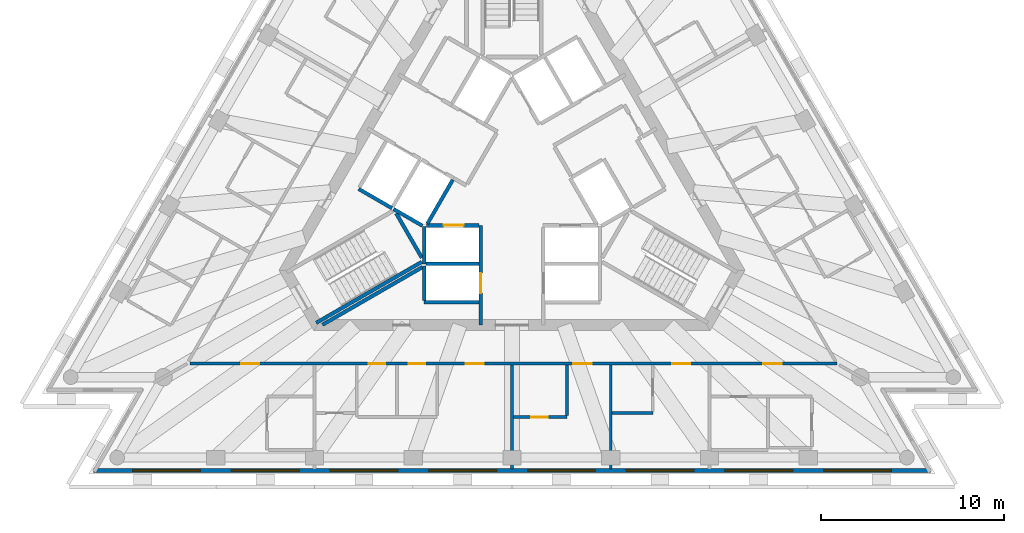
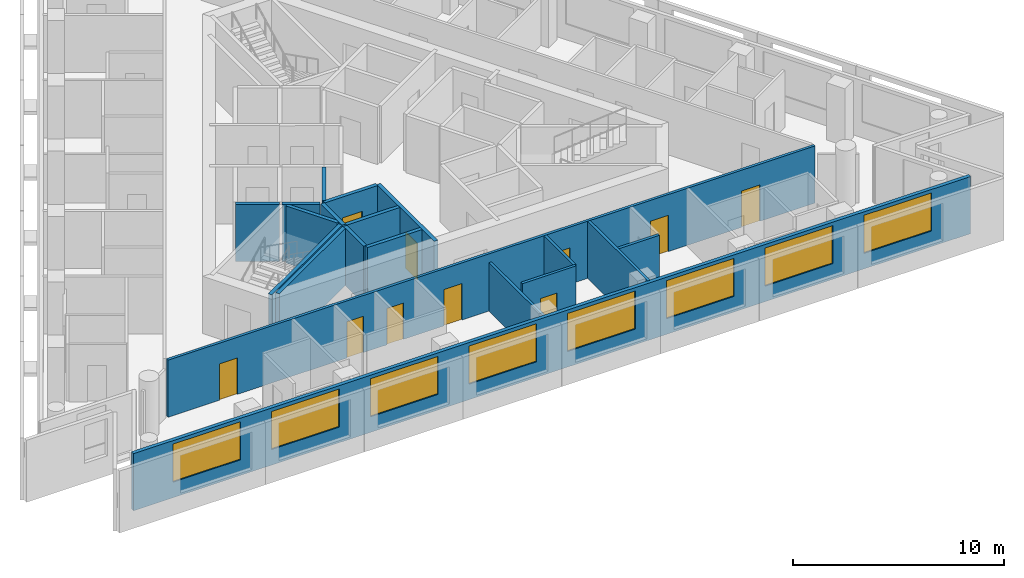
# One storey, part 3 of 10: 19 walls, 10 doors, 8 windows, 18 openings.
"""IFC4 building model written with IfcOpenShell, lengths in metres."""

from ifc_helpers import new_model, si_unit, direction, frame, frame_2d, origin, place, context, subcontext, project, spatial, rectangle, extrude, material, layer, layer_set, layer_usage, type_object, element, fill, save


model = new_model("IFC4")

# Units and contexts
model_context = context("Model", 3, precision=1e-05, world=origin(), true_north=direction((0.0, 1.0)))
body_context = subcontext(model_context, "Body", "Model", "MODEL_VIEW")
ifc_project = project(units=[si_unit("LENGTHUNIT", "METRE"), si_unit("AREAUNIT", "SQUARE_METRE"), si_unit("VOLUMEUNIT", "CUBIC_METRE"), si_unit("PLANEANGLEUNIT", "RADIAN"), si_unit("MASSUNIT", "GRAM", prefix="KILO")], contexts=[model_context])

# Site, building, storey
site_placement = place(None, origin())
site = spatial("IfcSite", under=ifc_project, at=site_placement, CompositionType="ELEMENT")
building_placement = place(site_placement, origin())
building = spatial("IfcBuilding", under=site, at=building_placement, Name="Triada Interchange Tower", CompositionType="ELEMENT")
storey_placement = place(building_placement, frame((0.0, 0.0, 289.89990234375)))
storey = spatial("IfcBuildingStorey", under=building, at=storey_placement, Name="L68", CompositionType="ELEMENT", Elevation=289.89990234375)

# Walls
ifc_material_1 = material(Name="Concrete C30/37", Category="concrete")
ifc_layer_1 = layer(ifc_material_1, 0.199951171875)
ifc_layer_set_1 = layer_set([ifc_layer_1], Name="CORE WALL 200 EI 120")
wall_type_1 = type_object("IfcWallType", Name="CORE WALL 200 EI 120", PredefinedType="SOLIDWALL", material=ifc_layer_set_1)
wall_1_placement = place(storey_placement, frame((-8.3759765625, -0.70703125, 0.0), z_axis=(0.0, 0.0, 1.0), x_axis=(0.866067520717, -0.499927044236, 0.0)))
element("IfcWall", 1, at=wall_1_placement, inside=storey, type_object=wall_type_1, Name="Wall L68 66", PredefinedType="SOLIDWALL", context=body_context, shape_type="SweptSolid", body=[
    extrude(rectangle(XDim=2.100341796875, YDim=0.199951171875, at=frame_2d((1.05029296875, 0.0))), origin(), (0.0, 0.0, 1.0), 3.300048828125),
])
wall_2_placement = place(storey_placement, frame((-4.800048828125, -6.89990234375, 0.0), z_axis=(0.0, 0.0, 1.0), x_axis=(1.0, 0.0, 0.0)))
element("IfcWall", 2, at=wall_2_placement, inside=storey, type_object=wall_type_1, Name="Wall L68 68", PredefinedType="SOLIDWALL", context=body_context, shape_type="SweptSolid", body=[
    extrude(rectangle(XDim=3.0, YDim=0.199951171875, at=frame_2d((1.5, 0.0))), origin(), (0.0, 0.0, 1.0), 3.300048828125),
])
wall_3_placement = place(storey_placement, frame((-4.800048828125, -6.800048828125, 0.0), z_axis=(0.0, 0.0, 1.0), x_axis=(0.0, 1.0, 0.0)))
element("IfcWall", 3, at=wall_3_placement, inside=storey, type_object=wall_type_1, Name="Wall L68 70", PredefinedType="SOLIDWALL", context=body_context, shape_type="SweptSolid", body=[
    extrude(rectangle(XDim=1.880126953125, YDim=0.199951171875, at=frame_2d((0.93994140625, 0.0))), origin(), (0.0, 0.0, 1.0), 3.300048828125),
])
wall_4_placement = place(storey_placement, frame((-4.800048828125, -4.800048828125, 0.0), z_axis=(0.0, 0.0, 1.0), x_axis=(0.0, 1.0, 0.0)))
element("IfcWall", 4, at=wall_4_placement, inside=storey, type_object=wall_type_1, Name="Wall L68 71", PredefinedType="SOLIDWALL", context=body_context, shape_type="SweptSolid", body=[
    extrude(rectangle(XDim=2.031005859375, YDim=0.199951171875, at=frame_2d((1.015625, 0.0))), origin(), (0.0, 0.0, 1.0), 3.300048828125),
])
wall_5_placement = place(storey_placement, frame((-4.699951171875, -4.800048828125, 0.0), z_axis=(0.0, 0.0, 1.0), x_axis=(1.0, 0.0, 0.0)))
element("IfcWall", 5, at=wall_5_placement, inside=storey, type_object=wall_type_1, Name="Wall L68 72", PredefinedType="SOLIDWALL", context=body_context, shape_type="SweptSolid", body=[
    extrude(rectangle(XDim=2.89990234375, YDim=0.199951171875, at=frame_2d((1.449951171875, 0.0))), origin(), (0.0, 0.0, 1.0), 3.300048828125),
])

# Wall, opening, door
wall_6_placement = place(storey_placement, frame((-1.699951171875, -8.1298828125, 0.0), z_axis=(0.0, 0.0, 1.0), x_axis=(0.0, 1.0, 0.0)))
wall_6 = element("IfcWall", 6, at=wall_6_placement, inside=storey, type_object=wall_type_1, Name="Wall L68 74", PredefinedType="SOLIDWALL", context=body_context, shape_type="SweptSolid", body=[
    extrude(rectangle(XDim=5.427001953125, YDim=0.199951171875, at=frame_2d((2.71337890625, 0.0))), origin(), (0.0, 0.0, 1.0), 3.300048828125),
])
opening_1_placement = place(wall_6_placement, frame((1.72998046875, 0.0, 0.0)))
opening_1 = element("IfcOpeningElement", 7, at=opening_1_placement, cuts=wall_6, Name="Opening LD-HR4", PredefinedType="OPENING", context=body_context, shape_type="SweptSolid", body=[
    extrude(rectangle(XDim=1.10009765625, YDim=2.10009765625, at=frame_2d((0.550048828125, 1.050048828125))), frame((0.0, 0.10986328125, 0.0), z_axis=(0.0, -1.0, 0.0), x_axis=(1.0, 0.0, 0.0)), (0.0, 0.0, 1.0), 0.219970703125),
])
ifc_material_2 = material(Name="Steel S235 door leaf", Category="steel")
door_type_1 = type_object("IfcDoorType", Name="LIFT LANDING DOOR 1100 EI 120", OperationType="SLIDING_TO_LEFT", PredefinedType="DOOR", material=ifc_material_2)
door_1_placement = place(opening_1_placement, origin())
door_1 = element("IfcDoor", 8, at=door_1_placement, inside=storey, type_object=door_type_1, Name="HR4 landing door L68", OperationType="SLIDING_TO_LEFT", OverallHeight=2.10009765625, OverallWidth=1.10009765625, PredefinedType="DOOR", context=body_context, shape_type="SweptSolid", body=[
    extrude(rectangle(XDim=1.10009765625, YDim=2.10009765625, at=frame_2d((0.550048828125, 1.050048828125))), frame((0.0, 0.02490234375, 0.0), z_axis=(0.0, -1.0, 0.0), x_axis=(1.0, 0.0, 0.0)), (0.0, 0.0, 1.0), 0.050048828125),
])
fill(opening_1, door_1)

wall_7_placement = place(storey_placement, frame((-4.676025390625, -2.699951171875, 0.0), z_axis=(0.0, 0.0, 1.0), x_axis=(1.0, 0.0, 0.0)))
wall_7 = element("IfcWall", 9, at=wall_7_placement, inside=storey, type_object=wall_type_1, Name="Wall L68 75", PredefinedType="SOLIDWALL", context=body_context, shape_type="SweptSolid", body=[
    extrude(rectangle(XDim=2.873046875, YDim=0.199951171875, at=frame_2d((1.4365234375, 0.0))), origin(), (0.0, 0.0, 1.0), 3.300048828125),
])
opening_2_placement = place(wall_7_placement, frame((0.93701171875, 0.0, 0.0)))
opening_2 = element("IfcOpeningElement", 10, at=opening_2_placement, cuts=wall_7, Name="Opening LD-HR3", PredefinedType="OPENING", context=body_context, shape_type="SweptSolid", body=[
    extrude(rectangle(XDim=1.10009765625, YDim=2.10009765625, at=frame_2d((0.550048828125, 1.050048828125))), frame((0.0, 0.10986328125, 0.0), z_axis=(0.0, -1.0, 0.0), x_axis=(1.0, 0.0, 0.0)), (0.0, 0.0, 1.0), 0.219970703125),
])
door_2_placement = place(opening_2_placement, origin())
door_2 = element("IfcDoor", 11, at=door_2_placement, inside=storey, type_object=door_type_1, Name="HR3 landing door L68", OperationType="SLIDING_TO_LEFT", OverallHeight=2.10009765625, OverallWidth=1.10009765625, PredefinedType="DOOR", context=body_context, shape_type="SweptSolid", body=[
    extrude(rectangle(XDim=1.10009765625, YDim=2.10009765625, at=frame_2d((0.550048828125, 1.050048828125))), frame((0.0, 0.02490234375, 0.0), z_axis=(0.0, -1.0, 0.0), x_axis=(1.0, 0.0, 0.0)), (0.0, 0.0, 1.0), 0.050048828125),
])
fill(opening_2, door_2)

# Walls
ifc_layer_2 = layer(ifc_material_1, 0.199951171875)
ifc_layer_set_2 = layer_set([ifc_layer_2], Name="CORE WALL 200 EI 180")
wall_type_2 = type_object("IfcWallType", Name="CORE WALL 200 EI 180", PredefinedType="SOLIDWALL", material=ifc_layer_set_2)
wall_8_placement = place(storey_placement, frame((-6.469970703125, -1.806884765625, 0.0), z_axis=(0.0, 0.0, 1.0), x_axis=(0.865883195159, -0.500246231712, 0.0)))
element("IfcWall", 12, at=wall_8_placement, inside=storey, type_object=wall_type_2, Name="Shaft wall FF1 L68 100", PredefinedType="SOLIDWALL", context=body_context, shape_type="SweptSolid", body=[
    extrude(rectangle(XDim=1.8154296875, YDim=0.199951171875, at=frame_2d((0.90771484375, 0.0))), origin(), (0.0, 0.0, 1.0), 3.300048828125),
])
wall_9_placement = place(storey_placement, frame((-4.618896484375, -2.60009765625, 0.0), z_axis=(0.0, 0.0, 1.0), x_axis=(0.50009492287, 0.865970593103, 0.0)))
element("IfcWall", 13, at=wall_9_placement, inside=storey, type_object=wall_type_2, Name="Shaft wall FF1 L68 102", PredefinedType="SOLIDWALL", context=body_context, shape_type="SweptSolid", body=[
    extrude(rectangle(XDim=2.76123046875, YDim=0.199951171875, at=frame_2d((1.380615234375, 0.0))), origin(), (0.0, 0.0, 1.0), 3.300048828125),
])
ifc_layer_3 = layer(ifc_material_1, 0.199951171875)
ifc_layer_set_3 = layer_set([ifc_layer_3], Name="CORE WALL 200 EI 90")
wall_type_3 = type_object("IfcWallType", Name="CORE WALL 200 EI 90", PredefinedType="SOLIDWALL", material=ifc_layer_set_3)
wall_10_placement = place(storey_placement, frame((-10.35693359375, -8.1298828125, 0.0), z_axis=(0.0, 0.0, 1.0), x_axis=(0.866074613031, 0.499914757397, 0.0)))
element("IfcWall", 14, at=wall_10_placement, inside=storey, type_object=wall_type_3, Name="Wall L68 107", PredefinedType="SOLIDWALL", context=body_context, shape_type="SweptSolid", body=[
    extrude(rectangle(XDim=6.30078125, YDim=0.199951171875, at=frame_2d((3.150390625, 0.0))), origin(), (0.0, 0.0, 1.0), 3.300048828125),
])
ifc_layer_4 = layer(ifc_material_1, 0.199951171875)
ifc_layer_set_4 = layer_set([ifc_layer_4], Name="CORE WALL 200 REI 240")
wall_type_4 = type_object("IfcWallType", Name="CORE WALL 200 REI 240", PredefinedType="SOLIDWALL", material=ifc_layer_set_4)
wall_11_placement = place(storey_placement, frame((-6.3291015625, -2.0380859375, 0.0), z_axis=(0.0, 0.0, 1.0), x_axis=(0.500200581029, -0.865909567298, 0.0)))
element("IfcWall", 15, at=wall_11_placement, inside=storey, type_object=wall_type_4, Name="Wall L68 113", PredefinedType="SOLIDWALL", context=body_context, shape_type="SweptSolid", body=[
    extrude(rectangle(XDim=2.799072265625, YDim=0.199951171875, at=frame_2d((1.3994140625, 0.0))), origin(), (0.0, 0.0, 1.0), 3.300048828125),
])
wall_12_placement = place(storey_placement, frame((-10.700927734375, -8.02587890625, 0.0), z_axis=(0.0, 0.0, 1.0), x_axis=(0.866005022404, 0.500035299925, 0.0)))
element("IfcWall", 16, at=wall_12_placement, inside=storey, type_object=wall_type_4, Name="Wall L68 114", PredefinedType="SOLIDWALL", context=body_context, shape_type="SweptSolid", body=[
    extrude(rectangle(XDim=6.6650390625, YDim=0.199951171875, at=frame_2d((3.33251953125, 0.0))), origin(), (0.0, 0.0, 1.0), 3.300048828125),
])

# Wall, openings, windows
ifc_material_3 = material(Name="Cement board")
ifc_layer_5 = layer(ifc_material_3, 0.02001953125, Name="Cement board cladding")
ifc_material_4 = material(Name="Sheathing board")
ifc_layer_6 = layer(ifc_material_4, 0.014892578125, Name="Sheathing board")
ifc_material_5 = material(Name="Mineral wool")
ifc_layer_7 = layer(ifc_material_5, 0.14990234375, Name="Mineral wool between steel studs")
ifc_material_6 = material(Name="Gypsum board")
ifc_layer_8 = layer(ifc_material_6, 0.014892578125, Name="Plasterboard lining")
ifc_layer_set_5 = layer_set([ifc_layer_5, ifc_layer_6, ifc_layer_7, ifc_layer_8], Name="External wall 200")
ifc_layer_usage = layer_usage(ifc_layer_set_5, "AXIS2", "POSITIVE", -0.10009765625)
wall_type_5 = type_object("IfcWallType", Name="External wall 200", PredefinedType="ELEMENTEDWALL", material=ifc_layer_set_5)
wall_13_placement = place(storey_placement, frame((-22.8798828125, -16.090087890625, 0.0), z_axis=(0.0, 0.0, 1.0), x_axis=(1.0, 0.0, 0.0)))
wall_13 = element("IfcWall", 17, at=wall_13_placement, inside=storey, type_object=wall_type_5, material=ifc_layer_usage, Name="External wall L68 S", PredefinedType="ELEMENTEDWALL", context=body_context, shape_type="SweptSolid", body=[
    extrude(rectangle(XDim=45.739990234375, YDim=0.199951171875, at=frame_2d((22.8701171875, 0.0))), origin(), (0.0, 0.0, 1.0), 3.300048828125),
])
opening_3_placement = place(wall_13_placement, frame((2.14990234375, 0.0, 0.89990234375)))
opening_3 = element("IfcOpeningElement", 18, at=opening_3_placement, cuts=wall_13, Name="Opening WD11", PredefinedType="OPENING", context=body_context, shape_type="SweptSolid", body=[
    extrude(rectangle(XDim=3.699951171875, YDim=2.199951171875, at=frame_2d((1.85009765625, 1.10009765625))), frame((0.0, 0.10986328125, 0.0), z_axis=(0.0, -1.0, 0.0), x_axis=(1.0, 0.0, 0.0)), (0.0, 0.0, 1.0), 0.219970703125),
])
opening_4_placement = place(wall_13_placement, frame((7.5439453125, 0.0, 0.89990234375)))
opening_4 = element("IfcOpeningElement", 19, at=opening_4_placement, cuts=wall_13, Name="Opening WD12", PredefinedType="OPENING", context=body_context, shape_type="SweptSolid", body=[
    extrude(rectangle(XDim=3.699951171875, YDim=2.199951171875, at=frame_2d((1.85009765625, 1.10009765625))), frame((0.0, 0.10986328125, 0.0), z_axis=(0.0, -1.0, 0.0), x_axis=(1.0, 0.0, 0.0)), (0.0, 0.0, 1.0), 0.219970703125),
])
opening_5_placement = place(wall_13_placement, frame((12.93896484375, 0.0, 0.89990234375)))
opening_5 = element("IfcOpeningElement", 20, at=opening_5_placement, cuts=wall_13, Name="Opening WD13", PredefinedType="OPENING", context=body_context, shape_type="SweptSolid", body=[
    extrude(rectangle(XDim=3.699951171875, YDim=2.199951171875, at=frame_2d((1.85009765625, 1.10009765625))), frame((0.0, 0.10986328125, 0.0), z_axis=(0.0, -1.0, 0.0), x_axis=(1.0, 0.0, 0.0)), (0.0, 0.0, 1.0), 0.219970703125),
])
opening_6_placement = place(wall_13_placement, frame((18.3330078125, 0.0, 0.89990234375)))
opening_6 = element("IfcOpeningElement", 21, at=opening_6_placement, cuts=wall_13, Name="Opening WD14", PredefinedType="OPENING", context=body_context, shape_type="SweptSolid", body=[
    extrude(rectangle(XDim=3.699951171875, YDim=2.199951171875, at=frame_2d((1.85009765625, 1.10009765625))), frame((0.0, 0.10986328125, 0.0), z_axis=(0.0, -1.0, 0.0), x_axis=(1.0, 0.0, 0.0)), (0.0, 0.0, 1.0), 0.219970703125),
])
opening_7_placement = place(wall_13_placement, frame((23.72705078125, 0.0, 0.89990234375)))
opening_7 = element("IfcOpeningElement", 22, at=opening_7_placement, cuts=wall_13, Name="Opening WD15", PredefinedType="OPENING", context=body_context, shape_type="SweptSolid", body=[
    extrude(rectangle(XDim=3.699951171875, YDim=2.199951171875, at=frame_2d((1.85009765625, 1.10009765625))), frame((0.0, 0.10986328125, 0.0), z_axis=(0.0, -1.0, 0.0), x_axis=(1.0, 0.0, 0.0)), (0.0, 0.0, 1.0), 0.219970703125),
])
opening_8_placement = place(wall_13_placement, frame((29.12109375, 0.0, 0.89990234375)))
opening_8 = element("IfcOpeningElement", 23, at=opening_8_placement, cuts=wall_13, Name="Opening WD16", PredefinedType="OPENING", context=body_context, shape_type="SweptSolid", body=[
    extrude(rectangle(XDim=3.699951171875, YDim=2.199951171875, at=frame_2d((1.85009765625, 1.10009765625))), frame((0.0, 0.10986328125, 0.0), z_axis=(0.0, -1.0, 0.0), x_axis=(1.0, 0.0, 0.0)), (0.0, 0.0, 1.0), 0.219970703125),
])
opening_9_placement = place(wall_13_placement, frame((34.51611328125, 0.0, 0.89990234375)))
opening_9 = element("IfcOpeningElement", 24, at=opening_9_placement, cuts=wall_13, Name="Opening WD17", PredefinedType="OPENING", context=body_context, shape_type="SweptSolid", body=[
    extrude(rectangle(XDim=3.699951171875, YDim=2.199951171875, at=frame_2d((1.85009765625, 1.10009765625))), frame((0.0, 0.10986328125, 0.0), z_axis=(0.0, -1.0, 0.0), x_axis=(1.0, 0.0, 0.0)), (0.0, 0.0, 1.0), 0.219970703125),
])
opening_10_placement = place(wall_13_placement, frame((39.909912109375, 0.0, 0.89990234375)))
opening_10 = element("IfcOpeningElement", 25, at=opening_10_placement, cuts=wall_13, Name="Opening WD18", PredefinedType="OPENING", context=body_context, shape_type="SweptSolid", body=[
    extrude(rectangle(XDim=3.699951171875, YDim=2.199951171875, at=frame_2d((1.85009765625, 1.10009765625))), frame((0.0, 0.10986328125, 0.0), z_axis=(0.0, -1.0, 0.0), x_axis=(1.0, 0.0, 0.0)), (0.0, 0.0, 1.0), 0.219970703125),
])
ifc_material_7 = material(Name="Double glazed aluminium window", Category="aluminium")
window_type = type_object("IfcWindowType", Name="Ribbon window D face", PartitioningType="SINGLE_PANEL", PredefinedType="WINDOW", material=ifc_material_7)
window_1_placement = place(opening_3_placement, origin())
window_1 = element("IfcWindow", 26, at=window_1_placement, inside=storey, type_object=window_type, Name="Window L68 S 1", OverallHeight=2.199951171875, OverallWidth=3.699951171875, PartitioningType="SINGLE_PANEL", PredefinedType="WINDOW", context=body_context, shape_type="SweptSolid", body=[
    extrude(rectangle(XDim=3.699951171875, YDim=2.199951171875, at=frame_2d((1.85009765625, 1.10009765625))), frame((0.0, 0.030029296875, 0.0), z_axis=(0.0, -1.0, 0.0), x_axis=(1.0, 0.0, 0.0)), (0.0, 0.0, 1.0), 0.06005859375),
])
fill(opening_3, window_1)
window_2_placement = place(opening_4_placement, origin())
window_2 = element("IfcWindow", 27, at=window_2_placement, inside=storey, type_object=window_type, Name="Window L68 S 2", OverallHeight=2.199951171875, OverallWidth=3.699951171875, PartitioningType="SINGLE_PANEL", PredefinedType="WINDOW", context=body_context, shape_type="SweptSolid", body=[
    extrude(rectangle(XDim=3.699951171875, YDim=2.199951171875, at=frame_2d((1.85009765625, 1.10009765625))), frame((0.0, 0.030029296875, 0.0), z_axis=(0.0, -1.0, 0.0), x_axis=(1.0, 0.0, 0.0)), (0.0, 0.0, 1.0), 0.06005859375),
])
fill(opening_4, window_2)
window_3_placement = place(opening_5_placement, origin())
window_3 = element("IfcWindow", 28, at=window_3_placement, inside=storey, type_object=window_type, Name="Window L68 S 3", OverallHeight=2.199951171875, OverallWidth=3.699951171875, PartitioningType="SINGLE_PANEL", PredefinedType="WINDOW", context=body_context, shape_type="SweptSolid", body=[
    extrude(rectangle(XDim=3.699951171875, YDim=2.199951171875, at=frame_2d((1.85009765625, 1.10009765625))), frame((0.0, 0.030029296875, 0.0), z_axis=(0.0, -1.0, 0.0), x_axis=(1.0, 0.0, 0.0)), (0.0, 0.0, 1.0), 0.06005859375),
])
fill(opening_5, window_3)
window_4_placement = place(opening_6_placement, origin())
window_4 = element("IfcWindow", 29, at=window_4_placement, inside=storey, type_object=window_type, Name="Window L68 S 4", OverallHeight=2.199951171875, OverallWidth=3.699951171875, PartitioningType="SINGLE_PANEL", PredefinedType="WINDOW", context=body_context, shape_type="SweptSolid", body=[
    extrude(rectangle(XDim=3.699951171875, YDim=2.199951171875, at=frame_2d((1.85009765625, 1.10009765625))), frame((0.0, 0.030029296875, 0.0), z_axis=(0.0, -1.0, 0.0), x_axis=(1.0, 0.0, 0.0)), (0.0, 0.0, 1.0), 0.06005859375),
])
fill(opening_6, window_4)
window_5_placement = place(opening_7_placement, origin())
window_5 = element("IfcWindow", 30, at=window_5_placement, inside=storey, type_object=window_type, Name="Window L68 S 5", OverallHeight=2.199951171875, OverallWidth=3.699951171875, PartitioningType="SINGLE_PANEL", PredefinedType="WINDOW", context=body_context, shape_type="SweptSolid", body=[
    extrude(rectangle(XDim=3.699951171875, YDim=2.199951171875, at=frame_2d((1.85009765625, 1.10009765625))), frame((0.0, 0.030029296875, 0.0), z_axis=(0.0, -1.0, 0.0), x_axis=(1.0, 0.0, 0.0)), (0.0, 0.0, 1.0), 0.06005859375),
])
fill(opening_7, window_5)
window_6_placement = place(opening_8_placement, origin())
window_6 = element("IfcWindow", 31, at=window_6_placement, inside=storey, type_object=window_type, Name="Window L68 S 6", OverallHeight=2.199951171875, OverallWidth=3.699951171875, PartitioningType="SINGLE_PANEL", PredefinedType="WINDOW", context=body_context, shape_type="SweptSolid", body=[
    extrude(rectangle(XDim=3.699951171875, YDim=2.199951171875, at=frame_2d((1.85009765625, 1.10009765625))), frame((0.0, 0.030029296875, 0.0), z_axis=(0.0, -1.0, 0.0), x_axis=(1.0, 0.0, 0.0)), (0.0, 0.0, 1.0), 0.06005859375),
])
fill(opening_8, window_6)
window_7_placement = place(opening_9_placement, origin())
window_7 = element("IfcWindow", 32, at=window_7_placement, inside=storey, type_object=window_type, Name="Window L68 S 7", OverallHeight=2.199951171875, OverallWidth=3.699951171875, PartitioningType="SINGLE_PANEL", PredefinedType="WINDOW", context=body_context, shape_type="SweptSolid", body=[
    extrude(rectangle(XDim=3.699951171875, YDim=2.199951171875, at=frame_2d((1.85009765625, 1.10009765625))), frame((0.0, 0.030029296875, 0.0), z_axis=(0.0, -1.0, 0.0), x_axis=(1.0, 0.0, 0.0)), (0.0, 0.0, 1.0), 0.06005859375),
])
fill(opening_9, window_7)
window_8_placement = place(opening_10_placement, origin())
window_8 = element("IfcWindow", 33, at=window_8_placement, inside=storey, type_object=window_type, Name="Window L68 S 8", OverallHeight=2.199951171875, OverallWidth=3.699951171875, PartitioningType="SINGLE_PANEL", PredefinedType="WINDOW", context=body_context, shape_type="SweptSolid", body=[
    extrude(rectangle(XDim=3.699951171875, YDim=2.199951171875, at=frame_2d((1.85009765625, 1.10009765625))), frame((0.0, 0.030029296875, 0.0), z_axis=(0.0, -1.0, 0.0), x_axis=(1.0, 0.0, 0.0)), (0.0, 0.0, 1.0), 0.06005859375),
])
fill(opening_10, window_8)

# Wall, openings, doors
ifc_material_8 = material(Name="Gypsum board partition")
ifc_layer_9 = layer(ifc_material_8, 0.14990234375)
ifc_layer_set_6 = layer_set([ifc_layer_9], Name="PARTITION 150 EI 180")
wall_type_6 = type_object("IfcWallType", Name="PARTITION 150 EI 180", PredefinedType="PARTITIONING", material=ifc_layer_set_6)
wall_14_placement = place(storey_placement, frame((-17.60302734375, -10.25, 0.0), z_axis=(0.0, 0.0, 1.0), x_axis=(1.0, 0.0, 0.0)))
wall_14 = element("IfcWall", 34, at=wall_14_placement, inside=storey, type_object=wall_type_6, Name="Wall L68 4", PredefinedType="PARTITIONING", context=body_context, shape_type="SweptSolid", body=[
    extrude(rectangle(XDim=35.35595703125, YDim=0.14990234375, at=frame_2d((17.677978515625, 0.0))), origin(), (0.0, 0.0, 1.0), 3.300048828125),
])
opening_11_placement = place(wall_14_placement, frame((2.800048828125, 0.0, 0.0)))
opening_11 = element("IfcOpeningElement", 35, at=opening_11_placement, cuts=wall_14, Name="Opening D68-11", PredefinedType="OPENING", context=body_context, shape_type="SweptSolid", body=[
    extrude(rectangle(XDim=1.0, YDim=2.10009765625, at=frame_2d((0.5, 1.050048828125))), frame((0.0, 0.0849609375, 0.0), z_axis=(0.0, -1.0, 0.0), x_axis=(1.0, 0.0, 0.0)), (0.0, 0.0, 1.0), 0.169921875),
])
opening_12_placement = place(wall_14_placement, frame((15.06494140625, 0.0, 0.0)))
opening_12 = element("IfcOpeningElement", 36, at=opening_12_placement, cuts=wall_14, Name="Opening D68-13", PredefinedType="OPENING", context=body_context, shape_type="SweptSolid", body=[
    extrude(rectangle(XDim=1.0, YDim=2.10009765625, at=frame_2d((0.5, 1.050048828125))), frame((0.0, 0.0849609375, 0.0), z_axis=(0.0, -1.0, 0.0), x_axis=(1.0, 0.0, 0.0)), (0.0, 0.0, 1.0), 0.169921875),
])
opening_13_placement = place(wall_14_placement, frame((9.764892578125, 0.0, 0.0)))
opening_13 = element("IfcOpeningElement", 37, at=opening_13_placement, cuts=wall_14, Name="Opening D68-15", PredefinedType="OPENING", context=body_context, shape_type="SweptSolid", body=[
    extrude(rectangle(XDim=0.89990234375, YDim=2.10009765625, at=frame_2d((0.449951171875, 1.050048828125))), frame((0.0, 0.0849609375, 0.0), z_axis=(0.0, -1.0, 0.0), x_axis=(1.0, 0.0, 0.0)), (0.0, 0.0, 1.0), 0.169921875),
])
opening_14_placement = place(wall_14_placement, frame((11.965087890625, 0.0, 0.0)))
opening_14 = element("IfcOpeningElement", 38, at=opening_14_placement, cuts=wall_14, Name="Opening D68-16", PredefinedType="OPENING", context=body_context, shape_type="SweptSolid", body=[
    extrude(rectangle(XDim=0.89990234375, YDim=2.10009765625, at=frame_2d((0.449951171875, 1.050048828125))), frame((0.0, 0.0849609375, 0.0), z_axis=(0.0, -1.0, 0.0), x_axis=(1.0, 0.0, 0.0)), (0.0, 0.0, 1.0), 0.169921875),
])
opening_15_placement = place(wall_14_placement, frame((20.952880859375, 0.0, 0.0)))
opening_15 = element("IfcOpeningElement", 39, at=opening_15_placement, cuts=wall_14, Name="Opening D68-17", PredefinedType="OPENING", context=body_context, shape_type="SweptSolid", body=[
    extrude(rectangle(XDim=1.0, YDim=2.10009765625, at=frame_2d((0.5, 1.050048828125))), frame((0.0, 0.0849609375, 0.0), z_axis=(0.0, -1.0, 0.0), x_axis=(1.0, 0.0, 0.0)), (0.0, 0.0, 1.0), 0.169921875),
])
opening_16_placement = place(wall_14_placement, frame((26.346923828125, 0.0, 0.0)))
opening_16 = element("IfcOpeningElement", 40, at=opening_16_placement, cuts=wall_14, Name="Opening D68-19", PredefinedType="OPENING", context=body_context, shape_type="SweptSolid", body=[
    extrude(rectangle(XDim=1.0, YDim=2.10009765625, at=frame_2d((0.5, 1.050048828125))), frame((0.0, 0.0849609375, 0.0), z_axis=(0.0, -1.0, 0.0), x_axis=(1.0, 0.0, 0.0)), (0.0, 0.0, 1.0), 0.169921875),
])
opening_17_placement = place(wall_14_placement, frame((31.342041015625, 0.0, 0.0)))
opening_17 = element("IfcOpeningElement", 41, at=opening_17_placement, cuts=wall_14, Name="Opening D68-21", PredefinedType="OPENING", context=body_context, shape_type="SweptSolid", body=[
    extrude(rectangle(XDim=1.0, YDim=2.10009765625, at=frame_2d((0.5, 1.050048828125))), frame((0.0, 0.0849609375, 0.0), z_axis=(0.0, -1.0, 0.0), x_axis=(1.0, 0.0, 0.0)), (0.0, 0.0, 1.0), 0.169921875),
])
door_type_2 = type_object("IfcDoorType", Name="GUEST ROOM DOOR 1000 EI2 90-C5S200", OperationType="NOTDEFINED", PredefinedType="DOOR", material=ifc_material_2)
door_3_placement = place(opening_11_placement, origin())
door_3 = element("IfcDoor", 42, at=door_3_placement, inside=storey, type_object=door_type_2, Name="Door D68-11 L68", OperationType="SINGLE_SWING_RIGHT", OverallHeight=2.10009765625, OverallWidth=1.0, PredefinedType="DOOR", context=body_context, shape_type="SweptSolid", body=[
    extrude(rectangle(XDim=1.0, YDim=2.10009765625, at=frame_2d((0.5, 1.050048828125))), frame((0.0, 0.02490234375, 0.0), z_axis=(0.0, -1.0, 0.0), x_axis=(1.0, 0.0, 0.0)), (0.0, 0.0, 1.0), 0.050048828125),
])
fill(opening_11, door_3)
door_4_placement = place(opening_12_placement, origin())
door_4 = element("IfcDoor", 43, at=door_4_placement, inside=storey, type_object=door_type_2, Name="Door D68-13 L68", OperationType="SINGLE_SWING_RIGHT", OverallHeight=2.10009765625, OverallWidth=1.0, PredefinedType="DOOR", context=body_context, shape_type="SweptSolid", body=[
    extrude(rectangle(XDim=1.0, YDim=2.10009765625, at=frame_2d((0.5, 1.050048828125))), frame((0.0, 0.02490234375, 0.0), z_axis=(0.0, -1.0, 0.0), x_axis=(1.0, 0.0, 0.0)), (0.0, 0.0, 1.0), 0.050048828125),
])
fill(opening_12, door_4)
door_5_placement = place(opening_15_placement, origin())
door_5 = element("IfcDoor", 44, at=door_5_placement, inside=storey, type_object=door_type_2, Name="Door D68-17 L68", OperationType="SINGLE_SWING_LEFT", OverallHeight=2.10009765625, OverallWidth=1.0, PredefinedType="DOOR", context=body_context, shape_type="SweptSolid", body=[
    extrude(rectangle(XDim=1.0, YDim=2.10009765625, at=frame_2d((0.5, 1.050048828125))), frame((0.0, 0.02490234375, 0.0), z_axis=(0.0, -1.0, 0.0), x_axis=(1.0, 0.0, 0.0)), (0.0, 0.0, 1.0), 0.050048828125),
])
fill(opening_15, door_5)
door_6_placement = place(opening_16_placement, origin())
door_6 = element("IfcDoor", 45, at=door_6_placement, inside=storey, type_object=door_type_2, Name="Door D68-19 L68", OperationType="SINGLE_SWING_RIGHT", OverallHeight=2.10009765625, OverallWidth=1.0, PredefinedType="DOOR", context=body_context, shape_type="SweptSolid", body=[
    extrude(rectangle(XDim=1.0, YDim=2.10009765625, at=frame_2d((0.5, 1.050048828125))), frame((0.0, 0.02490234375, 0.0), z_axis=(0.0, -1.0, 0.0), x_axis=(1.0, 0.0, 0.0)), (0.0, 0.0, 1.0), 0.050048828125),
])
fill(opening_16, door_6)
door_7_placement = place(opening_17_placement, origin())
door_7 = element("IfcDoor", 46, at=door_7_placement, inside=storey, type_object=door_type_2, Name="Door D68-21 L68", OperationType="SINGLE_SWING_LEFT", OverallHeight=2.10009765625, OverallWidth=1.0, PredefinedType="DOOR", context=body_context, shape_type="SweptSolid", body=[
    extrude(rectangle(XDim=1.0, YDim=2.10009765625, at=frame_2d((0.5, 1.050048828125))), frame((0.0, 0.02490234375, 0.0), z_axis=(0.0, -1.0, 0.0), x_axis=(1.0, 0.0, 0.0)), (0.0, 0.0, 1.0), 0.050048828125),
])
fill(opening_17, door_7)
door_type_3 = type_object("IfcDoorType", Name="ROOM DOOR 900 EI2 90-C5S200", OperationType="NOTDEFINED", PredefinedType="DOOR", material=ifc_material_2)
door_8_placement = place(opening_14_placement, origin())
door_8 = element("IfcDoor", 47, at=door_8_placement, inside=storey, type_object=door_type_3, Name="Door D68-16 L68", OperationType="SINGLE_SWING_RIGHT", OverallHeight=2.10009765625, OverallWidth=0.89990234375, PredefinedType="DOOR", context=body_context, shape_type="SweptSolid", body=[
    extrude(rectangle(XDim=0.89990234375, YDim=2.10009765625, at=frame_2d((0.449951171875, 1.050048828125))), frame((0.0, 0.02490234375, 0.0), z_axis=(0.0, -1.0, 0.0), x_axis=(1.0, 0.0, 0.0)), (0.0, 0.0, 1.0), 0.050048828125),
])
fill(opening_14, door_8)
door_type_4 = type_object("IfcDoorType", Name="SERVICE DOOR 900 EI2 90-C5S200", OperationType="NOTDEFINED", PredefinedType="DOOR", material=ifc_material_2)
door_9_placement = place(opening_13_placement, origin())
door_9 = element("IfcDoor", 48, at=door_9_placement, inside=storey, type_object=door_type_4, Name="Door D68-15 L68", OperationType="SINGLE_SWING_RIGHT", OverallHeight=2.10009765625, OverallWidth=0.89990234375, PredefinedType="DOOR", context=body_context, shape_type="SweptSolid", body=[
    extrude(rectangle(XDim=0.89990234375, YDim=2.10009765625, at=frame_2d((0.449951171875, 1.050048828125))), frame((0.0, 0.02490234375, 0.0), z_axis=(0.0, -1.0, 0.0), x_axis=(1.0, 0.0, 0.0)), (0.0, 0.0, 1.0), 0.050048828125),
])
fill(opening_13, door_9)

# Walls
wall_15_placement = place(storey_placement, frame((0.0, -16.010009765625, 0.0), z_axis=(0.0, 0.0, 1.0), x_axis=(0.0, 1.0, 0.0)))
element("IfcWall", 49, at=wall_15_placement, inside=storey, type_object=wall_type_6, Name="Wall L68 16", PredefinedType="PARTITIONING", context=body_context, shape_type="SweptSolid", body=[
    extrude(rectangle(XDim=5.68505859375, YDim=0.14990234375, at=frame_2d((2.842529296875, 0.0))), origin(), (0.0, 0.0, 1.0), 2.800048828125),
])
wall_16_placement = place(storey_placement, frame((5.39404296875, -16.010009765625, 0.0), z_axis=(0.0, 0.0, 1.0), x_axis=(0.0, 1.0, 0.0)))
element("IfcWall", 50, at=wall_16_placement, inside=storey, type_object=wall_type_6, Name="Wall L68 19", PredefinedType="PARTITIONING", context=body_context, shape_type="SweptSolid", body=[
    extrude(rectangle(XDim=5.68505859375, YDim=0.14990234375, at=frame_2d((2.842529296875, 0.0))), origin(), (0.0, 0.0, 1.0), 3.300048828125),
])
ifc_layer_10 = layer(ifc_material_8, 0.14990234375)
ifc_layer_set_7 = layer_set([ifc_layer_10], Name="PARTITION 150 EI 90")
wall_type_7 = type_object("IfcWallType", Name="PARTITION 150 EI 90", PredefinedType="PARTITIONING", material=ifc_layer_set_7)
wall_17_placement = place(storey_placement, frame((5.468994140625, -12.949951171875, 0.0), z_axis=(0.0, 0.0, 1.0), x_axis=(1.0, 0.0, 0.0)))
element("IfcWall", 51, at=wall_17_placement, inside=storey, type_object=wall_type_7, Name="Wall L68 47", PredefinedType="PARTITIONING", context=body_context, shape_type="SweptSolid", body=[
    extrude(rectangle(XDim=2.22509765625, YDim=0.14990234375, at=frame_2d((1.112548828125, 0.0))), origin(), (0.0, 0.0, 1.0), 3.300048828125),
])

# Wall, opening, door
wall_18_placement = place(storey_placement, frame((0.074951171875, -13.169921875, 0.0), z_axis=(0.0, 0.0, 1.0), x_axis=(1.0, 0.0, 0.0)))
wall_18 = element("IfcWall", 52, at=wall_18_placement, inside=storey, type_object=wall_type_7, Name="Wall L68 50", PredefinedType="PARTITIONING", context=body_context, shape_type="SweptSolid", body=[
    extrude(rectangle(XDim=2.925048828125, YDim=0.14990234375, at=frame_2d((1.46240234375, 0.0))), origin(), (0.0, 0.0, 1.0), 3.300048828125),
])
opening_18_placement = place(wall_18_placement, frame((0.97509765625, 0.0, 0.0)))
opening_18 = element("IfcOpeningElement", 53, at=opening_18_placement, cuts=wall_18, Name="Opening D68-18", PredefinedType="OPENING", context=body_context, shape_type="SweptSolid", body=[
    extrude(rectangle(XDim=0.89990234375, YDim=2.10009765625, at=frame_2d((0.449951171875, 1.050048828125))), frame((0.0, 0.0849609375, 0.0), z_axis=(0.0, -1.0, 0.0), x_axis=(1.0, 0.0, 0.0)), (0.0, 0.0, 1.0), 0.169921875),
])
door_type_5 = type_object("IfcDoorType", Name="ROOM DOOR 900 EI2 45-C5S200", OperationType="NOTDEFINED", PredefinedType="DOOR", material=ifc_material_2)
door_10_placement = place(opening_18_placement, origin())
door_10 = element("IfcDoor", 54, at=door_10_placement, inside=storey, type_object=door_type_5, Name="Door D68-18 L68", OperationType="SINGLE_SWING_LEFT", OverallHeight=2.10009765625, OverallWidth=0.89990234375, PredefinedType="DOOR", context=body_context, shape_type="SweptSolid", body=[
    extrude(rectangle(XDim=0.89990234375, YDim=2.10009765625, at=frame_2d((0.449951171875, 1.050048828125))), frame((0.0, 0.02490234375, 0.0), z_axis=(0.0, -1.0, 0.0), x_axis=(1.0, 0.0, 0.0)), (0.0, 0.0, 1.0), 0.050048828125),
])
fill(opening_18, door_10)

# Wall
wall_19_placement = place(storey_placement, frame((3.0, -13.094970703125, 0.0), z_axis=(0.0, 0.0, 1.0), x_axis=(0.0, 1.0, 0.0)))
element("IfcWall", 55, at=wall_19_placement, inside=storey, type_object=wall_type_7, Name="Wall L68 51", PredefinedType="PARTITIONING", context=body_context, shape_type="SweptSolid", body=[
    extrude(rectangle(XDim=2.77001953125, YDim=0.14990234375, at=frame_2d((1.385009765625, 0.0))), origin(), (0.0, 0.0, 1.0), 3.300048828125),
])

save(model, "model.ifc")
